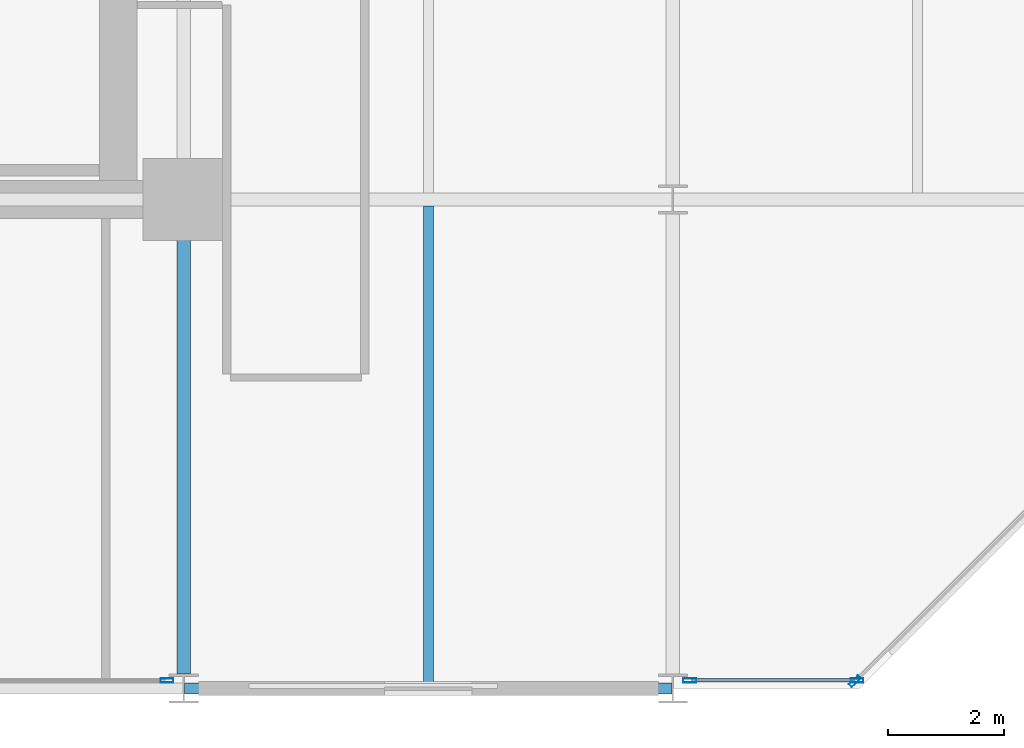
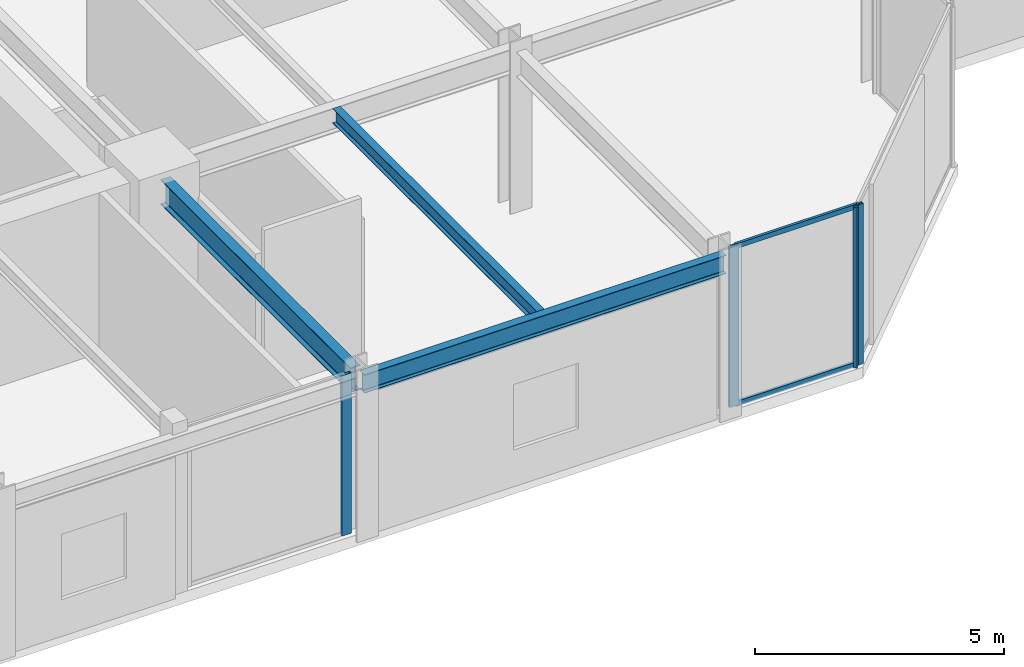
# One storey, part 11 of 26: 6 members, 3 beams, 3 elements without a shape of their own.
"""IFC4 building model written with IfcOpenShell, lengths in metres."""

import ifcopenshell
import ifcopenshell.guid

model = None  # the IFC model being written
_history = None  # IfcOwnerHistory: only IFC2X3 demands one
_inside = {}  # id of a spatial element -> (the spatial element, [elements in it])
_under = {}  # id of a project, library or spatial element -> (it, [spatial elements below it])
_declared = {}  # id of a project -> (the project, [libraries it declares])
_typed = {}  # id of a type object -> (the type object, [elements of that type])
_made_of = {}  # id of a material, layer set ... -> (it, [elements and type objects made of it])


def new_model(schema):
    """Start an empty IFC model of exactly this schema.

    Asked for "IFC4X3", IfcOpenShell would pick the latest addendum, in which some entities
    have other attributes; the version numbers below select the first issue.
    IFC2X3 requires an IfcOwnerHistory on every rooted entity: one is made here for all.
    """
    global model, _history
    if schema == "IFC4X3":
        model = ifcopenshell.file(schema_version=(4, 3, 0, 0))
    else:
        model = ifcopenshell.file(schema=schema)
    _inside.clear()
    _under.clear()
    _declared.clear()
    _typed.clear()
    _made_of.clear()
    _history = None
    if model.schema == "IFC2X3":
        org = make("IfcOrganization", Name="unknown")
        user = make(
            "IfcPersonAndOrganization",
            ThePerson=make("IfcPerson", FamilyName="unknown"),
            TheOrganization=org,
        )
        app = make(
            "IfcApplication",
            ApplicationDeveloper=org,
            Version="unknown",
            ApplicationFullName="unknown",
            ApplicationIdentifier="unknown",
        )
        _history = make(
            "IfcOwnerHistory",
            OwningUser=user,
            OwningApplication=app,
            ChangeAction="ADDED",
            CreationDate=0,
        )
    return model


def make(cls, **values):
    """One entity of the class cls with the attributes given. An attribute that is None is left unset."""
    return model.create_entity(
        cls, **{name: value for name, value in values.items() if value is not None}
    )


def rooted(cls, **values):
    """An entity with a GlobalId (a new one), such as an element, a storey or a relation."""
    return make(cls, GlobalId=ifcopenshell.guid.new(), OwnerHistory=_history, **values)


def si_unit(unit_type, name, prefix=None):
    """IfcSIUnit, for example si_unit("LENGTHUNIT", "METRE", prefix="MILLI")."""
    return make("IfcSIUnit", UnitType=unit_type, Prefix=prefix, Name=name)


def assignment(units):
    """IfcUnitAssignment: the units of a project."""
    return None if units is None else make("IfcUnitAssignment", Units=units)


def point(xyz):
    """IfcCartesianPoint."""
    return None if xyz is None else make("IfcCartesianPoint", Coordinates=xyz)


def direction(xyz):
    """IfcDirection."""
    return None if xyz is None else make("IfcDirection", DirectionRatios=xyz)


def frame(location, z_axis=None, x_axis=None):
    """IfcAxis2Placement3D, a coordinate frame: its origin and axes. An axis left out is left unset."""
    return make(
        "IfcAxis2Placement3D",
        Location=point(location),
        Axis=direction(z_axis),
        RefDirection=direction(x_axis),
    )


def frame_2d(location, x_axis=None):
    """IfcAxis2Placement2D, a coordinate frame in the plane: its origin and x axis."""
    return make(
        "IfcAxis2Placement2D", Location=point(location), RefDirection=direction(x_axis)
    )


def origin():
    """The frame at (0, 0, 0) with its axes left unset."""
    return frame((0.0, 0.0, 0.0))


def origin_2d():
    """The frame at (0, 0) in the plane with its x axis left unset."""
    return frame_2d((0.0, 0.0))


def place(relative_to, where):
    """IfcLocalPlacement: puts the frame where relative to a parent placement (None: the world)."""
    return make(
        "IfcLocalPlacement", PlacementRelTo=relative_to, RelativePlacement=where
    )


def context(
    kind, dimensions, precision=None, world=None, true_north=None, identifier=None
):
    """IfcGeometricRepresentationContext, for example the 3D "Model" context."""
    return make(
        "IfcGeometricRepresentationContext",
        ContextIdentifier=identifier,
        ContextType=kind,
        CoordinateSpaceDimension=dimensions,
        Precision=precision,
        WorldCoordinateSystem=world,
        TrueNorth=true_north,
    )


def subcontext(parent, identifier, kind, view, scale=None):
    """IfcGeometricRepresentationSubContext, for example "Body" below "Model"."""
    return make(
        "IfcGeometricRepresentationSubContext",
        ContextIdentifier=identifier,
        ContextType=kind,
        ParentContext=parent,
        TargetScale=scale,
        TargetView=view,
    )


def project(units=None, contexts=None):
    """IfcProject with its units and contexts."""
    return rooted(
        "IfcProject",
        Name="project",
        RepresentationContexts=contexts,
        UnitsInContext=assignment(units),
    )


def spatial(cls, under=None, at=None, **own):
    """A site, building, storey or space (cls), placed at a placement, below another one or the project."""
    s = rooted(cls, ObjectPlacement=at, **own)
    if under is not None:
        _under.setdefault(under.id(), (under, []))[1].append(s)
    return s


def profile(cls, at=None, kind="AREA", **sizes):
    """A parametric profile (cls). Its sizes go by their IFC names, for example OverallWidth=200.0."""
    return make(cls, ProfileType=kind, Position=at, **sizes)


def hollow_rectangle(**sizes):
    """IfcRectangleHollowProfileDef."""
    return profile("IfcRectangleHollowProfileDef", **sizes)


def i_section(**sizes):
    """IfcIShapeProfileDef."""
    return profile("IfcIShapeProfileDef", **sizes)


def extrude(swept, where, along, depth):
    """IfcExtrudedAreaSolid: the profile swept, set in the frame where, extruded along a direction by depth."""
    return make(
        "IfcExtrudedAreaSolid",
        SweptArea=swept,
        Position=where,
        ExtrudedDirection=direction(along),
        Depth=depth,
    )


def shape(context_of_items, identifier, shape_type, items):
    """IfcShapeRepresentation: the items that make up one representation, for example the "Body"."""
    return make(
        "IfcShapeRepresentation",
        ContextOfItems=context_of_items,
        RepresentationIdentifier=identifier,
        RepresentationType=shape_type,
        Items=items,
    )


def material(Name=None, Category=None):
    """IfcMaterial."""
    return make("IfcMaterial", Name=Name, Category=Category)


def layer(
    of_material, thickness, ventilated=None, Name=None, Category=None, Priority=None
):
    """IfcMaterialLayer: one layer of a wall or slab, of a material (None: an air gap)."""
    return make(
        "IfcMaterialLayer",
        Material=of_material,
        LayerThickness=thickness,
        IsVentilated=ventilated,
        Name=Name,
        Category=Category,
        Priority=Priority,
    )


def layer_set(layers, Name=None):
    """IfcMaterialLayerSet."""
    return make("IfcMaterialLayerSet", MaterialLayers=layers, LayerSetName=Name)


def material_profile(
    of_material, cross_section, Name=None, Category=None, Priority=None
):
    """IfcMaterialProfile: a cross section and its material."""
    return make(
        "IfcMaterialProfile",
        Name=Name,
        Material=of_material,
        Profile=cross_section,
        Priority=Priority,
        Category=Category,
    )


def profile_set(profiles, Name=None, composite=None):
    """IfcMaterialProfileSet."""
    return make(
        "IfcMaterialProfileSet",
        Name=Name,
        MaterialProfiles=profiles,
        CompositeProfile=composite,
    )


def made_of(thing, what):
    """Note that an element or type object is made of a material, layer set ...; save() writes the relation."""
    if what is not None:
        _made_of.setdefault(what.id(), (what, []))[1].append(thing)
    return thing


def type_object(cls, material=None, **own):
    """A type object (cls), such as IfcWallType, which elements share."""
    return made_of(rooted(cls, **own), material)


def element(
    cls,
    number,
    at=None,
    inside=None,
    cuts=None,
    type_object=None,
    material=None,
    context=None,
    identifier="Body",
    shape_type=None,
    held_by="IfcProductDefinitionShape",
    body=None,
    shapes=None,
    **own,
):
    """One element of the class cls, such as IfcWall. Its Tag is "e" and its number.

    at: its placement. inside: the storey or other place that contains it. cuts: it is an
    opening in that element (IfcRelVoidsElement). A single representation is given by context,
    identifier, shape_type and body (its items); several are given by shapes. held_by: the class
    of the entity that holds the representations. save() writes the other relations.
    """
    e = rooted(cls, Tag="e%d" % number, ObjectPlacement=at, **own)
    if body is not None:
        shapes = [shape(context, identifier, shape_type, body)]
    if shapes is not None:
        e.Representation = make(held_by, Representations=shapes)
    if inside is not None:
        _inside.setdefault(inside.id(), (inside, []))[1].append(e)
    if cuts is not None:
        rooted(
            "IfcRelVoidsElement", RelatingBuildingElement=cuts, RelatedOpeningElement=e
        )
    if type_object is not None:
        _typed.setdefault(type_object.id(), (type_object, []))[1].append(e)
    return made_of(e, material)


def aggregate(whole, parts):
    """IfcRelAggregates: a whole, such as a stair, and the parts it consists of."""
    return rooted("IfcRelAggregates", RelatingObject=whole, RelatedObjects=parts)


def save(model, path):
    """Write the relations noted so far, then the file.

    IfcRelAggregates (storeys below a building ...), IfcRelContainedInSpatialStructure (elements
    in a storey), IfcRelDefinesByType, IfcRelAssociatesMaterial and IfcRelDeclares: one each for
    every whole, place, type object, material and project.
    """
    for whole, parts in _under.values():
        aggregate(whole, parts)
    for where, things in _inside.values():
        rooted(
            "IfcRelContainedInSpatialStructure",
            RelatedElements=things,
            RelatingStructure=where,
        )
    for kind, things in _typed.values():
        rooted("IfcRelDefinesByType", RelatedObjects=things, RelatingType=kind)
    for what, things in _made_of.values():
        rooted("IfcRelAssociatesMaterial", RelatedObjects=things, RelatingMaterial=what)
    for by, libraries in _declared.values():
        rooted("IfcRelDeclares", RelatingContext=by, RelatedDefinitions=libraries)
    model.write(path)


model = new_model("IFC4")

# Units and contexts
model_context = context("Model", 3, precision=1e-05, world=origin(), true_north=direction((0.0, 1.0)))
body_context = subcontext(model_context, "Body", "Model", "MODEL_VIEW")
ifc_project = project(units=[si_unit("LENGTHUNIT", "METRE"), si_unit("AREAUNIT", "SQUARE_METRE"), si_unit("VOLUMEUNIT", "CUBIC_METRE"), si_unit("PLANEANGLEUNIT", "RADIAN"), si_unit("MASSUNIT", "GRAM", prefix="KILO")], contexts=[model_context])

# Site, building, storey
site_placement = place(None, origin())
site = spatial("IfcSite", under=ifc_project, at=site_placement, CompositionType="ELEMENT")
building_placement = place(site_placement, origin())
building = spatial("IfcBuilding", under=site, at=building_placement, Name="Nerrivon Quay Data Exchange", CompositionType="ELEMENT")
storey_placement = place(building_placement, frame((0.0, 0.0, 71.0)))
storey = spatial("IfcBuildingStorey", under=building, at=storey_placement, Name="L16", CompositionType="ELEMENT", Elevation=71.0)

# Beams
ifc_material_1 = material(Name="Steel Grade 350", Category="steel")
ifc_material_profile_1 = material_profile(ifc_material_1, i_section(OverallWidth=0.22802734375, OverallDepth=0.60205078125, WebThickness=0.010498046875, FlangeThickness=0.014892578125, FilletRadius=0.013916015625, at=origin_2d()), Name="610UB101")
ifc_profile_set_1 = profile_set([ifc_material_profile_1], Name="Steel Grade 350")
beam_type_1 = type_object("IfcBeamType", Name="BM-G2-610UB101", PredefinedType="BEAM", material=ifc_profile_set_1)
beam_1_placement = place(storey_placement, frame((33.60009765625, 0.25, 3.6240234375), z_axis=(0.0, 1.0, 0.0), x_axis=(-1.0, 0.0, 0.0)))
element("IfcBeam", 1, at=beam_1_placement, inside=storey, type_object=beam_type_1, Name="L16 NS Girder X=33.6 (0.0..8.4)", PredefinedType="BEAM", context=body_context, shape_type="SweptSolid", body=[
    extrude(i_section(OverallWidth=0.22802734375, OverallDepth=0.60205078125, WebThickness=0.010498046875, FlangeThickness=0.014892578125, FilletRadius=0.013916015625, at=origin_2d()), origin(), (0.0, 0.0, 1.0), 7.610107421875),
])
ifc_material_profile_2 = material_profile(ifc_material_1, i_section(OverallWidth=0.172119140625, OverallDepth=0.35888671875, WebThickness=0.008056640625, FlangeThickness=0.012939453125, FilletRadius=0.011474609375, at=origin_2d()), Name="360UB56.7")
ifc_profile_set_2 = profile_set([ifc_material_profile_2], Name="Steel Grade 350")
beam_type_2 = type_object("IfcBeamType", Name="BM-J3-360UB57", PredefinedType="JOIST", material=ifc_profile_set_2)
beam_2_placement = place(storey_placement, frame((37.800048828125, 0.094970703125, 3.74560546875), z_axis=(0.0, 1.0, 0.0), x_axis=(-1.0, 0.0, 0.0)))
element("IfcBeam", 2, at=beam_2_placement, inside=storey, type_object=beam_type_2, Name="L16 Secondary Joist X=37.8 (0.0..8.4)", PredefinedType="JOIST", context=body_context, shape_type="SweptSolid", body=[
    extrude(i_section(OverallWidth=0.172119140625, OverallDepth=0.35888671875, WebThickness=0.008056640625, FlangeThickness=0.012939453125, FilletRadius=0.011474609375, at=origin_2d()), origin(), (0.0, 0.0, 1.0), 8.1904296875),
])
ifc_material_profile_3 = material_profile(ifc_material_1, i_section(OverallWidth=0.18994140625, OverallDepth=0.4541015625, WebThickness=0.008544921875, FlangeThickness=0.0126953125, FilletRadius=0.011474609375, at=origin_2d()), Name="460UB67.1")
ifc_profile_set_3 = profile_set([ifc_material_profile_3], Name="Steel Grade 350")
beam_type_3 = type_object("IfcBeamType", Name="BM-SP1-460UB67", PredefinedType="SPANDREL", material=ifc_profile_set_3)
beam_3_placement = place(storey_placement, frame((33.614013671875, 0.0, 3.697998046875), z_axis=(1.0, 0.0, 0.0), x_axis=(0.0, 1.0, 0.0)))
element("IfcBeam", 3, at=beam_3_placement, inside=storey, type_object=beam_type_3, Name="L16 EW Girder Y=0.0 (33.6..42.0)", PredefinedType="SPANDREL", context=body_context, shape_type="SweptSolid", body=[
    extrude(i_section(OverallWidth=0.18994140625, OverallDepth=0.4541015625, WebThickness=0.008544921875, FlangeThickness=0.0126953125, FilletRadius=0.011474609375, at=origin_2d()), origin(), (0.0, 0.0, 1.0), 8.3720703125),
])

# Curtain wall, member
ifc_material_2 = material(Name="Anodised aluminium 6063-T6", Category="aluminium")
ifc_layer = layer(ifc_material_2, 0.219970703125)
ifc_layer_set = layer_set([ifc_layer], Name="Anodised aluminium 6063-T6")
curtain_wall_type = type_object("IfcCurtainWallType", Name="CW-SYS-01", PredefinedType="NOTDEFINED", material=ifc_layer_set)
curtain_wall_1_placement = place(storey_placement, origin())
curtain_wall_1 = element("IfcCurtainWall", 4, at=curtain_wall_1_placement, inside=storey, type_object=curtain_wall_type, Name="L16 Unitised Curtain Wall 5", PredefinedType="NOTDEFINED")
ifc_material_profile_4 = material_profile(ifc_material_2, hollow_rectangle(XDim=0.074951171875, YDim=0.219970703125, WallThickness=0.00390625, at=origin_2d()), Name="ALU-MULL-220x75")
ifc_profile_set_4 = profile_set([ifc_material_profile_4], Name="Anodised aluminium 6063-T6")
member_type_1 = type_object("IfcMemberType", Name="CWM-220x75", PredefinedType="MULLION", material=ifc_profile_set_4)
member_1_placement = place(storey_placement, frame((45.12744140625, 0.12548828125, 0.0), z_axis=(0.0, 0.0, 1.0), x_axis=(0.707106781187, -0.707106781187, 0.0)))
member_1 = element("IfcMember", 5, at=member_1_placement, type_object=member_type_1, Name="CW01 mullion 2", PredefinedType="MULLION", context=body_context, shape_type="SweptSolid", body=[
    extrude(hollow_rectangle(XDim=0.074951171875, YDim=0.219970703125, WallThickness=0.00390625, at=origin_2d()), origin(), (0.0, 0.0, 1.0), 3.925048828125),
])
aggregate(curtain_wall_1, [member_1])

# Curtain wall, members
curtain_wall_2_placement = place(storey_placement, origin())
curtain_wall_2 = element("IfcCurtainWall", 6, at=curtain_wall_2_placement, inside=storey, type_object=curtain_wall_type, Name="L16 Unitised Curtain Wall 6", PredefinedType="NOTDEFINED")
member_2_placement = place(storey_placement, frame((45.16259765625, 0.139892578125, 0.0), z_axis=(0.0, 0.0, 1.0), x_axis=(0.0, -1.0, 0.0)))
member_2 = element("IfcMember", 7, at=member_2_placement, type_object=member_type_1, Name="CW01 mullion 1", PredefinedType="MULLION", context=body_context, shape_type="SweptSolid", body=[
    extrude(hollow_rectangle(XDim=0.074951171875, YDim=0.219970703125, WallThickness=0.00390625, at=origin_2d()), origin(), (0.0, 0.0, 1.0), 3.925048828125),
])
member_3_placement = place(storey_placement, frame((42.28759765625, 0.139892578125, 0.0), z_axis=(0.0, 0.0, 1.0), x_axis=(0.0, -1.0, 0.0)))
member_3 = element("IfcMember", 8, at=member_3_placement, type_object=member_type_1, Name="CW01 mullion 2", PredefinedType="MULLION", context=body_context, shape_type="SweptSolid", body=[
    extrude(hollow_rectangle(XDim=0.074951171875, YDim=0.219970703125, WallThickness=0.00390625, at=origin_2d()), origin(), (0.0, 0.0, 1.0), 3.925048828125),
])

# Curtain wall, member
curtain_wall_3_placement = place(storey_placement, origin())
curtain_wall_3 = element("IfcCurtainWall", 9, at=curtain_wall_3_placement, inside=storey, type_object=curtain_wall_type, Name="L16 Unitised Curtain Wall 8", PredefinedType="NOTDEFINED")
member_4_placement = place(storey_placement, frame((33.3125, 0.139892578125, 0.0), z_axis=(0.0, 0.0, 1.0), x_axis=(0.0, -1.0, 0.0)))
member_4 = element("IfcMember", 10, at=member_4_placement, type_object=member_type_1, Name="CW01 mullion 1", PredefinedType="MULLION", context=body_context, shape_type="SweptSolid", body=[
    extrude(hollow_rectangle(XDim=0.074951171875, YDim=0.219970703125, WallThickness=0.00390625, at=origin_2d()), origin(), (0.0, 0.0, 1.0), 3.925048828125),
])
aggregate(curtain_wall_3, [member_4])

# Member
ifc_material_profile_5 = material_profile(ifc_material_2, hollow_rectangle(XDim=0.06005859375, YDim=0.1201171875, WallThickness=0.003173828125, at=origin_2d()), Name="ALU-TRAN-120x60")
ifc_profile_set_5 = profile_set([ifc_material_profile_5], Name="Anodised aluminium 6063-T6")
member_type_2 = type_object("IfcMemberType", Name="CWT-120x60", PredefinedType="USERDEFINED", material=ifc_profile_set_5)
member_5_placement = place(storey_placement, frame((45.125, 0.139892578125, 0.032470703125), z_axis=(-1.0, 0.0, 0.0), x_axis=(0.0, -1.0, 0.0)))
member_5 = element("IfcMember", 11, at=member_5_placement, type_object=member_type_2, Name="CW01 transom 1.1", ObjectType="TRANSOM", PredefinedType="USERDEFINED", context=body_context, shape_type="SweptSolid", body=[
    extrude(hollow_rectangle(XDim=0.06005859375, YDim=0.1201171875, WallThickness=0.003173828125, at=origin_2d()), origin(), (0.0, 0.0, 1.0), 2.800048828125),
])

member_6_placement = place(storey_placement, frame((45.125, 0.139892578125, 3.892578125), z_axis=(-1.0, 0.0, 0.0), x_axis=(0.0, -1.0, 0.0)))
member_6 = element("IfcMember", 12, at=member_6_placement, type_object=member_type_2, Name="CW01 transom 1.2", ObjectType="TRANSOM", PredefinedType="USERDEFINED", context=body_context, shape_type="SweptSolid", body=[
    extrude(hollow_rectangle(XDim=0.06005859375, YDim=0.1201171875, WallThickness=0.003173828125, at=origin_2d()), origin(), (0.0, 0.0, 1.0), 2.800048828125),
])

aggregate(curtain_wall_2, [member_2, member_3, member_5, member_6])

save(model, "model.ifc")
